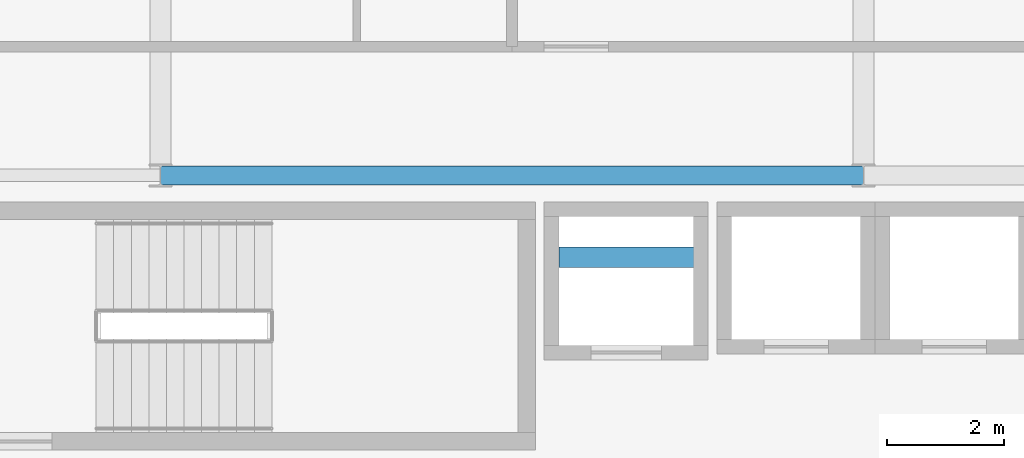
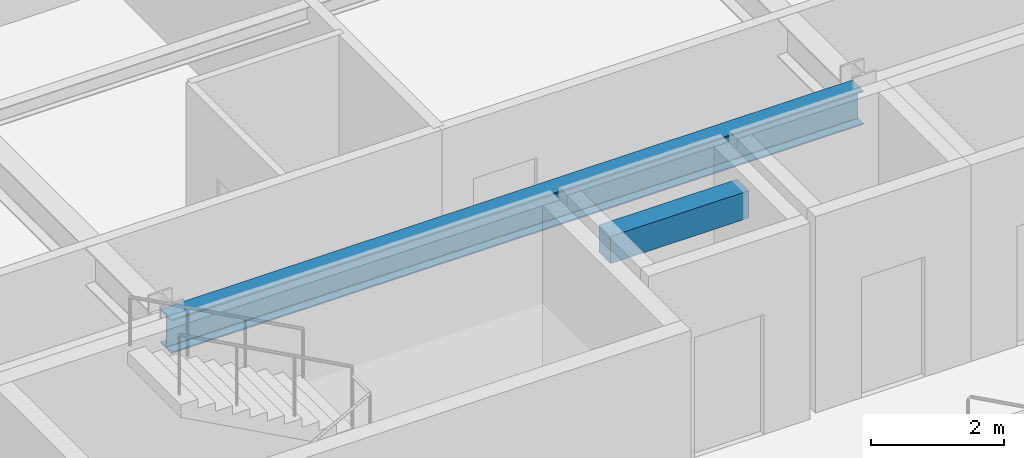
# One storey, part 7 of 22: 2 beams.
"""IFC4 building model written with IfcOpenShell, lengths in metres."""

from ifc_helpers import new_model, si_unit, direction, frame, origin, origin_2d, place, context, subcontext, project, spatial, rectangle, i_section, extrude, material, material_profile, profile_set, type_object, element, save


model = new_model("IFC4")

# Units and contexts
model_context = context("Model", 3, precision=1e-05, world=origin(), true_north=direction((0.0, 1.0)))
body_context = subcontext(model_context, "Body", "Model", "MODEL_VIEW")
ifc_project = project(units=[si_unit("LENGTHUNIT", "METRE"), si_unit("AREAUNIT", "SQUARE_METRE"), si_unit("VOLUMEUNIT", "CUBIC_METRE"), si_unit("PLANEANGLEUNIT", "RADIAN"), si_unit("MASSUNIT", "GRAM", prefix="KILO")], contexts=[model_context])

# Site, building, storey
site_placement = place(None, origin())
site = spatial("IfcSite", under=ifc_project, at=site_placement, CompositionType="ELEMENT")
building_placement = place(site_placement, origin())
building = spatial("IfcBuilding", under=site, at=building_placement, Name="Kaldorvane Square Convention Centre", CompositionType="ELEMENT")
storey_placement = place(building_placement, frame((0.0, 0.0, 63.600006103515625)))
storey = spatial("IfcBuildingStorey", under=building, at=storey_placement, Name="L15", CompositionType="ELEMENT", Elevation=63.600006103515625)

# Beams
ifc_material_1 = material(Name="Steel ASTM A992 Gr. 50", Category="steel")
ifc_material_profile_1 = material_profile(ifc_material_1, i_section(OverallWidth=0.326507568359375, OverallDepth=0.621795654296875, WebThickness=0.0153961181640625, FlangeThickness=0.0243988037109375, FilletRadius=0.0126953125, at=origin_2d()), Name="W24X131")
ifc_profile_set_1 = profile_set([ifc_material_profile_1], Name="Steel ASTM A992 Gr. 50")
beam_type_1 = type_object("IfcBeamType", Name="BM-GR-W24X131", PredefinedType="BEAM", material=ifc_profile_set_1)
beam_1_placement = place(storey_placement, frame((42.0, 105.0, 2.97509765625), z_axis=(1.0, 0.0, 0.0), x_axis=(0.0, 1.0, 0.0)))
element("IfcBeam", 1, at=beam_1_placement, inside=storey, type_object=beam_type_1, Name="Primary Girder (L15)", PredefinedType="BEAM", context=body_context, shape_type="SweptSolid", body=[
    extrude(i_section(OverallWidth=0.326507568359375, OverallDepth=0.621795654296875, WebThickness=0.0153961181640625, FlangeThickness=0.0243988037109375, FilletRadius=0.0126953125, at=origin_2d()), origin(), (0.0, 0.0, 1.0), 12.0),
])
ifc_material_2 = material(Name="Concrete f'c = 42 MPa (Normalweight)", Category="concrete")
ifc_material_profile_2 = material_profile(ifc_material_2, rectangle(XDim=0.350006103515625, YDim=0.5, at=origin_2d()), Name="RCLN500X350")
ifc_profile_set_2 = profile_set([ifc_material_profile_2], Name="Concrete f'c = 42 MPa (Normalweight)")
beam_type_2 = type_object("IfcBeamType", Name="BM-LN-RC500", PredefinedType="LINTEL", material=ifc_profile_set_2)
beam_2_placement = place(storey_placement, frame((48.80000305175781, 103.60000610351562, 3.037994384765625), z_axis=(1.0, 0.0, 0.0), x_axis=(0.0, 1.0, 0.0)))
element("IfcBeam", 2, at=beam_2_placement, inside=storey, type_object=beam_type_2, Name="Core Coupling Lintel W (L15)", PredefinedType="LINTEL", context=body_context, shape_type="SweptSolid", body=[
    extrude(rectangle(XDim=0.350006103515625, YDim=0.5, at=origin_2d()), origin(), (0.0, 0.0, 1.0), 2.399993896484375),
])

save(model, "model.ifc")
